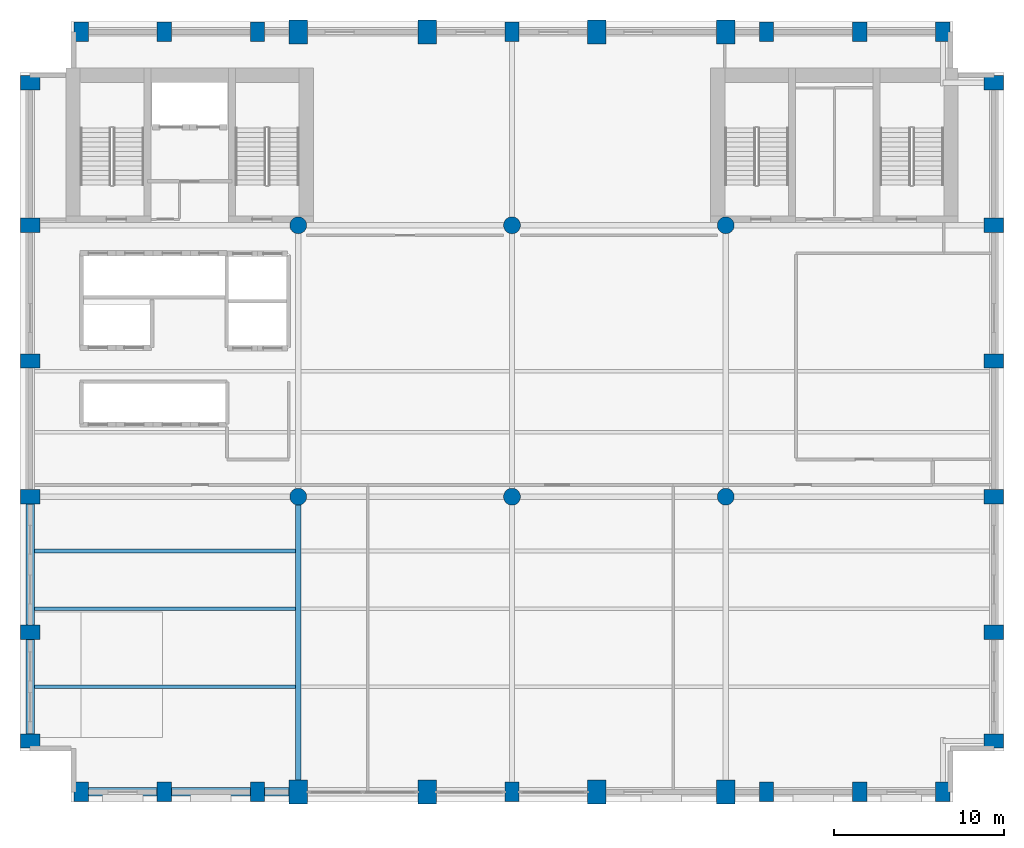
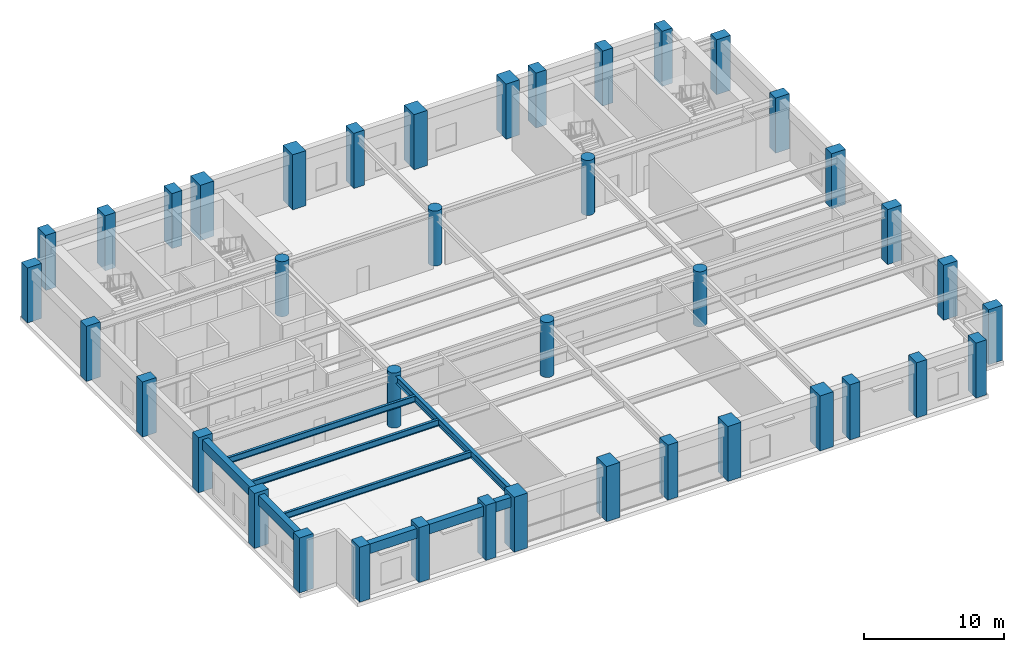
# One storey, part 1 of 10: 40 columns, 9 beams.
"""IFC4 building model written with IfcOpenShell, lengths in metres."""

from ifc_helpers import new_model, si_unit, direction, frame, origin, origin_2d, place, context, subcontext, project, spatial, rectangle, circle, i_section, extrude, material, material_profile, profile_set, type_object, element, save


model = new_model("IFC4")

# Units and contexts
model_context = context("Model", 3, precision=1e-05, world=origin(), true_north=direction((0.0, 1.0)))
body_context = subcontext(model_context, "Body", "Model", "MODEL_VIEW")
ifc_project = project(units=[si_unit("LENGTHUNIT", "METRE"), si_unit("AREAUNIT", "SQUARE_METRE"), si_unit("VOLUMEUNIT", "CUBIC_METRE"), si_unit("PLANEANGLEUNIT", "RADIAN"), si_unit("MASSUNIT", "GRAM", prefix="KILO")], contexts=[model_context])

# Site, building, storey
site_placement = place(None, origin())
site = spatial("IfcSite", under=ifc_project, at=site_placement, CompositionType="ELEMENT")
building_placement = place(site_placement, origin())
building = spatial("IfcBuilding", under=site, at=building_placement, Name="Sulina Concourse Tower", CompositionType="ELEMENT")
storey_placement = place(building_placement, frame((0.0, 0.0, 87.800048828125)))
storey = spatial("IfcBuildingStorey", under=building, at=storey_placement, Name="L21", CompositionType="ELEMENT", Elevation=87.800048828125)

# Columns
ifc_material_1 = material(Name="Concrete C60/75", Category="concrete")
ifc_material_profile_1 = material_profile(ifc_material_1, circle(Radius=0.5, at=origin_2d()), Name="RC D1000")
ifc_profile_set_1 = profile_set([ifc_material_profile_1], Name="Concrete C60/75")
column_type_1 = type_object("IfcColumnType", Name="Lower Interior Circular Column D1000", PredefinedType="COLUMN", material=ifc_profile_set_1)
for number, where, z_axis, x_axis, name in (
    (1, (16.39990234375, 18.0, 0.0), (0.0, 0.0, 1.0), (1.0, 0.0, 0.0), "L21 structural column IC-M-164"),
    (2, (16.39990234375, 34.0, 0.0), (0.0, 0.0, 1.0), (1.0, 0.0, 0.0), "L21 structural column IC-N-164"),
    (3, (29.0, 18.0, 0.0), (0.0, 0.0, 1.0), (1.0, 0.0, 0.0), "L21 structural column IC-M-290"),
    (4, (29.0, 34.0, 0.0), (0.0, 0.0, 1.0), (1.0, 0.0, 0.0), "L21 structural column IC-N-290"),
    (5, (41.60009765625, 18.0, 0.0), (0.0, 0.0, 1.0), (1.0, 0.0, 0.0), "L21 structural column IC-M-416"),
    (6, (41.60009765625, 34.0, 0.0), (0.0, 0.0, 1.0), (1.0, 0.0, 0.0), "L21 structural column IC-N-416"),
):
    element("IfcColumn", number, at=place(storey_placement, frame(where, z_axis=z_axis, x_axis=x_axis)), inside=storey, type_object=column_type_1, Name=name, PredefinedType="COLUMN", context=body_context, shape_type="SweptSolid", body=[
        extrude(circle(Radius=0.5, at=origin_2d()), origin(), (0.0, 0.0, 1.0), 4.800048828125),
    ])
ifc_material_2 = material(Name="Concrete C60/75", Category="concrete")
ifc_material_profile_2 = material_profile(ifc_material_2, rectangle(XDim=1.10009765625, YDim=1.39990234375, at=origin_2d()), Name="RC 1100x1400")
ifc_profile_set_2 = profile_set([ifc_material_profile_2], Name="Concrete C60/75")
column_type_2 = type_object("IfcColumnType", Name="Mid-Rise Portal Column 1100x1400", PredefinedType="COLUMN", material=ifc_profile_set_2)
for number, where, z_axis, x_axis, name in (
    (7, (16.39990234375, 0.60009765625, 0.0), (0.0, 0.0, 1.0), (1.0, 0.0, 0.0), "L21 structural column TP-S-164"),
    (8, (16.39990234375, 45.39990234375, 0.0), (0.0, 0.0, 1.0), (1.0, 0.0, 0.0), "L21 structural column TP-N-164"),
    (9, (24.0, 0.60009765625, 0.0), (0.0, 0.0, 1.0), (1.0, 0.0, 0.0), "L21 structural column TP-S-240"),
    (10, (24.0, 45.39990234375, 0.0), (0.0, 0.0, 1.0), (1.0, 0.0, 0.0), "L21 structural column TP-N-240"),
    (11, (34.0, 0.60009765625, 0.0), (0.0, 0.0, 1.0), (1.0, 0.0, 0.0), "L21 structural column TP-S-340"),
    (12, (34.0, 45.39990234375, 0.0), (0.0, 0.0, 1.0), (1.0, 0.0, 0.0), "L21 structural column TP-N-340"),
    (13, (41.60009765625, 0.60009765625, 0.0), (0.0, 0.0, 1.0), (1.0, 0.0, 0.0), "L21 structural column TP-S-416"),
    (14, (41.60009765625, 45.39990234375, 0.0), (0.0, 0.0, 1.0), (1.0, 0.0, 0.0), "L21 structural column TP-N-416"),
):
    element("IfcColumn", number, at=place(storey_placement, frame(where, z_axis=z_axis, x_axis=x_axis)), inside=storey, type_object=column_type_2, Name=name, PredefinedType="COLUMN", context=body_context, shape_type="SweptSolid", body=[
        extrude(rectangle(XDim=1.10009765625, YDim=1.39990234375, at=origin_2d()), origin(), (0.0, 0.0, 1.0), 4.800048828125),
    ])
ifc_material_3 = material(Name="Precast concrete C60/75", Category="concrete")
ifc_material_profile_3 = material_profile(ifc_material_3, rectangle(XDim=0.85009765625, YDim=1.14990234375, at=origin_2d()), Name="PC 850x1150")
ifc_profile_set_3 = profile_set([ifc_material_profile_3], Name="Precast concrete C60/75")
column_type_3 = type_object("IfcColumnType", Name="Precast Tube Pier Zone 2 850x1150", PredefinedType="COLUMN", material=ifc_profile_set_3)
for number, where, z_axis, x_axis, name in (
    (15, (3.60009765625, 0.60009765625, 0.0), (0.0, 0.0, 1.0), (1.0, 0.0, 0.0), "L21 structural column TP-S-36"),
    (16, (3.60009765625, 45.39990234375, 0.0), (0.0, 0.0, 1.0), (1.0, 0.0, 0.0), "L21 structural column TP-N-36"),
    (17, (8.5, 0.60009765625, 0.0), (0.0, 0.0, 1.0), (1.0, 0.0, 0.0), "L21 structural column TP-S-85"),
    (18, (8.5, 45.39990234375, 0.0), (0.0, 0.0, 1.0), (1.0, 0.0, 0.0), "L21 structural column TP-N-85"),
    (19, (14.0, 0.60009765625, 0.0), (0.0, 0.0, 1.0), (1.0, 0.0, 0.0), "L21 structural column TP-S-140"),
    (20, (14.0, 45.39990234375, 0.0), (0.0, 0.0, 1.0), (1.0, 0.0, 0.0), "L21 structural column TP-N-140"),
    (21, (29.0, 0.60009765625, 0.0), (0.0, 0.0, 1.0), (1.0, 0.0, 0.0), "L21 structural column TP-S-290"),
    (22, (29.0, 45.39990234375, 0.0), (0.0, 0.0, 1.0), (1.0, 0.0, 0.0), "L21 structural column TP-N-290"),
    (23, (44.0, 0.60009765625, 0.0), (0.0, 0.0, 1.0), (1.0, 0.0, 0.0), "L21 structural column TP-S-440"),
    (24, (44.0, 45.39990234375, 0.0), (0.0, 0.0, 1.0), (1.0, 0.0, 0.0), "L21 structural column TP-N-440"),
    (25, (49.5, 0.60009765625, 0.0), (0.0, 0.0, 1.0), (1.0, 0.0, 0.0), "L21 structural column TP-S-495"),
    (26, (49.5, 45.39990234375, 0.0), (0.0, 0.0, 1.0), (1.0, 0.0, 0.0), "L21 structural column TP-N-495"),
    (27, (54.39990234375, 0.60009765625, 0.0), (0.0, 0.0, 1.0), (1.0, 0.0, 0.0), "L21 structural column TP-S-544"),
    (28, (54.39990234375, 45.39990234375, 0.0), (0.0, 0.0, 1.0), (1.0, 0.0, 0.0), "L21 structural column TP-N-544"),
    (29, (0.60009765625, 3.60009765625, 0.0), (0.0, 0.0, 1.0), (0.0, 1.0, 0.0), "L21 structural column TP-W-36"),
    (30, (57.39990234375, 3.60009765625, 0.0), (0.0, 0.0, 1.0), (0.0, 1.0, 0.0), "L21 structural column TP-E-36"),
    (31, (0.60009765625, 10.0, 0.0), (0.0, 0.0, 1.0), (0.0, 1.0, 0.0), "L21 structural column TP-W-100"),
    (32, (57.39990234375, 10.0, 0.0), (0.0, 0.0, 1.0), (0.0, 1.0, 0.0), "L21 structural column TP-E-100"),
    (33, (0.60009765625, 18.0, 0.0), (0.0, 0.0, 1.0), (0.0, 1.0, 0.0), "L21 structural column TP-W-180"),
    (34, (57.39990234375, 18.0, 0.0), (0.0, 0.0, 1.0), (0.0, 1.0, 0.0), "L21 structural column TP-E-180"),
    (35, (0.60009765625, 26.0, 0.0), (0.0, 0.0, 1.0), (0.0, 1.0, 0.0), "L21 structural column TP-W-260"),
    (36, (57.39990234375, 26.0, 0.0), (0.0, 0.0, 1.0), (0.0, 1.0, 0.0), "L21 structural column TP-E-260"),
    (37, (0.60009765625, 34.0, 0.0), (0.0, 0.0, 1.0), (0.0, 1.0, 0.0), "L21 structural column TP-W-340"),
    (38, (57.39990234375, 34.0, 0.0), (0.0, 0.0, 1.0), (0.0, 1.0, 0.0), "L21 structural column TP-E-340"),
    (39, (0.60009765625, 42.39990234375, 0.0), (0.0, 0.0, 1.0), (0.0, 1.0, 0.0), "L21 structural column TP-W-424"),
    (40, (57.39990234375, 42.39990234375, 0.0), (0.0, 0.0, 1.0), (0.0, 1.0, 0.0), "L21 structural column TP-E-424"),
):
    element("IfcColumn", number, at=place(storey_placement, frame(where, z_axis=z_axis, x_axis=x_axis)), inside=storey, type_object=column_type_3, Name=name, PredefinedType="COLUMN", context=body_context, shape_type="SweptSolid", body=[
        extrude(rectangle(XDim=0.85009765625, YDim=1.14990234375, at=origin_2d()), origin(), (0.0, 0.0, 1.0), 4.800048828125),
    ])

# Beams
ifc_material_4 = material(Name="Steel S355", Category="steel")
ifc_material_profile_4 = material_profile(ifc_material_4, i_section(OverallWidth=0.2099609375, OverallDepth=0.550048828125, WebThickness=0.010986328125, FlangeThickness=0.01708984375, at=origin_2d()), Name="IPE 550")
ifc_profile_set_4 = profile_set([ifc_material_profile_4], Name="Steel S355")
beam_type_1 = type_object("IfcBeamType", Name="Composite Floor Joist IPE550", PredefinedType="JOIST", material=ifc_profile_set_4)
for number, where, z_axis, x_axis, name in (
    (41, (0.85009765625, 6.800048828125, 4.25), (1.0, 0.0, 0.0), (0.0, 1.0, 0.0), "FJ-J06-1-L21"),
    (42, (0.85009765625, 11.39990234375, 4.25), (1.0, 0.0, 0.0), (0.0, 1.0, 0.0), "FJ-J11-1-L21"),
    (43, (0.85009765625, 14.800048828125, 4.25), (1.0, 0.0, 0.0), (0.0, 1.0, 0.0), "FJ-J15-1-L21"),
):
    element("IfcBeam", number, at=place(storey_placement, frame(where, z_axis=z_axis, x_axis=x_axis)), inside=storey, type_object=beam_type_1, Name=name, PredefinedType="JOIST", context=body_context, shape_type="SweptSolid", body=[
        extrude(i_section(OverallWidth=0.2099609375, OverallDepth=0.550048828125, WebThickness=0.010986328125, FlangeThickness=0.01708984375, at=origin_2d()), origin(), (0.0, 0.0, 1.0), 15.39990234375),
    ])
ifc_material_5 = material(Name="Steel S355", Category="steel")
ifc_material_profile_5 = material_profile(ifc_material_5, i_section(OverallWidth=0.300048828125, OverallDepth=0.64990234375, WebThickness=0.01611328125, FlangeThickness=0.031005859375, at=origin_2d()), Name="HE 650 B")
ifc_profile_set_5 = profile_set([ifc_material_profile_5], Name="Steel S355")
beam_type_2 = type_object("IfcBeamType", Name="Floor Primary Girder Zone 2 HE650B", PredefinedType="BEAM", material=ifc_profile_set_5)
beam_1_placement = place(storey_placement, frame((16.39990234375, 1.1298828125, 4.199951171875), z_axis=(0.0, 1.0, 0.0), x_axis=(-1.0, 0.0, 0.0)))
element("IfcBeam", 44, at=beam_1_placement, inside=storey, type_object=beam_type_2, Name="FG-NSA-16-L21", PredefinedType="BEAM", context=body_context, shape_type="SweptSolid", body=[
    extrude(i_section(OverallWidth=0.300048828125, OverallDepth=0.64990234375, WebThickness=0.01611328125, FlangeThickness=0.031005859375, at=origin_2d()), origin(), (0.0, 0.0, 1.0), 16.39013671875),
])
ifc_material_6 = material(Name="Precast concrete C50/60", Category="concrete")
ifc_material_profile_6 = material_profile(ifc_material_6, rectangle(XDim=0.5, YDim=0.85009765625, at=origin_2d()), Name="RC 500x850")
ifc_profile_set_6 = profile_set([ifc_material_profile_6], Name="Precast concrete C50/60")
beam_type_3 = type_object("IfcBeamType", Name="Lower Precast Spandrel Edge Beam 500x850", PredefinedType="BEAM", material=ifc_profile_set_6)
beam_2_placement = place(storey_placement, frame((4.0048828125, 0.60009765625, 4.099853515625), z_axis=(1.0, 0.0, 0.0), x_axis=(0.0, 1.0, 0.0)))
element("IfcBeam", 45, at=beam_2_placement, inside=storey, type_object=beam_type_3, Name="SP-S1-L21", PredefinedType="BEAM", context=body_context, shape_type="SweptSolid", body=[
    extrude(rectangle(XDim=0.5, YDim=0.85009765625, at=origin_2d()), origin(), (0.0, 0.0, 1.0), 4.090087890625),
])
beam_3_placement = place(storey_placement, frame((8.905029296875, 0.60009765625, 4.099853515625), z_axis=(1.0, 0.0, 0.0), x_axis=(0.0, 1.0, 0.0)))
element("IfcBeam", 46, at=beam_3_placement, inside=storey, type_object=beam_type_3, Name="SP-S2-L21", PredefinedType="BEAM", context=body_context, shape_type="SweptSolid", body=[
    extrude(rectangle(XDim=0.5, YDim=0.85009765625, at=origin_2d()), origin(), (0.0, 0.0, 1.0), 4.68994140625),
])
beam_4_placement = place(storey_placement, frame((14.405029296875, 0.60009765625, 4.099853515625), z_axis=(1.0, 0.0, 0.0), x_axis=(0.0, 1.0, 0.0)))
element("IfcBeam", 47, at=beam_4_placement, inside=storey, type_object=beam_type_3, Name="SP-S3-L21", PredefinedType="BEAM", context=body_context, shape_type="SweptSolid", body=[
    extrude(rectangle(XDim=0.5, YDim=0.85009765625, at=origin_2d()), origin(), (0.0, 0.0, 1.0), 1.465087890625),
])
beam_5_placement = place(storey_placement, frame((0.60009765625, 4.0048828125, 4.099853515625), z_axis=(0.0, 1.0, 0.0), x_axis=(-1.0, 0.0, 0.0)))
element("IfcBeam", 48, at=beam_5_placement, inside=storey, type_object=beam_type_3, Name="SP-W1-L21", PredefinedType="BEAM", context=body_context, shape_type="SweptSolid", body=[
    extrude(rectangle(XDim=0.5, YDim=0.85009765625, at=origin_2d()), origin(), (0.0, 0.0, 1.0), 5.590087890625),
])
beam_6_placement = place(storey_placement, frame((0.60009765625, 10.405029296875, 4.099853515625), z_axis=(0.0, 1.0, 0.0), x_axis=(-1.0, 0.0, 0.0)))
element("IfcBeam", 49, at=beam_6_placement, inside=storey, type_object=beam_type_3, Name="SP-W2-L21", PredefinedType="BEAM", context=body_context, shape_type="SweptSolid", body=[
    extrude(rectangle(XDim=0.5, YDim=0.85009765625, at=origin_2d()), origin(), (0.0, 0.0, 1.0), 7.18994140625),
])

save(model, "model.ifc")
